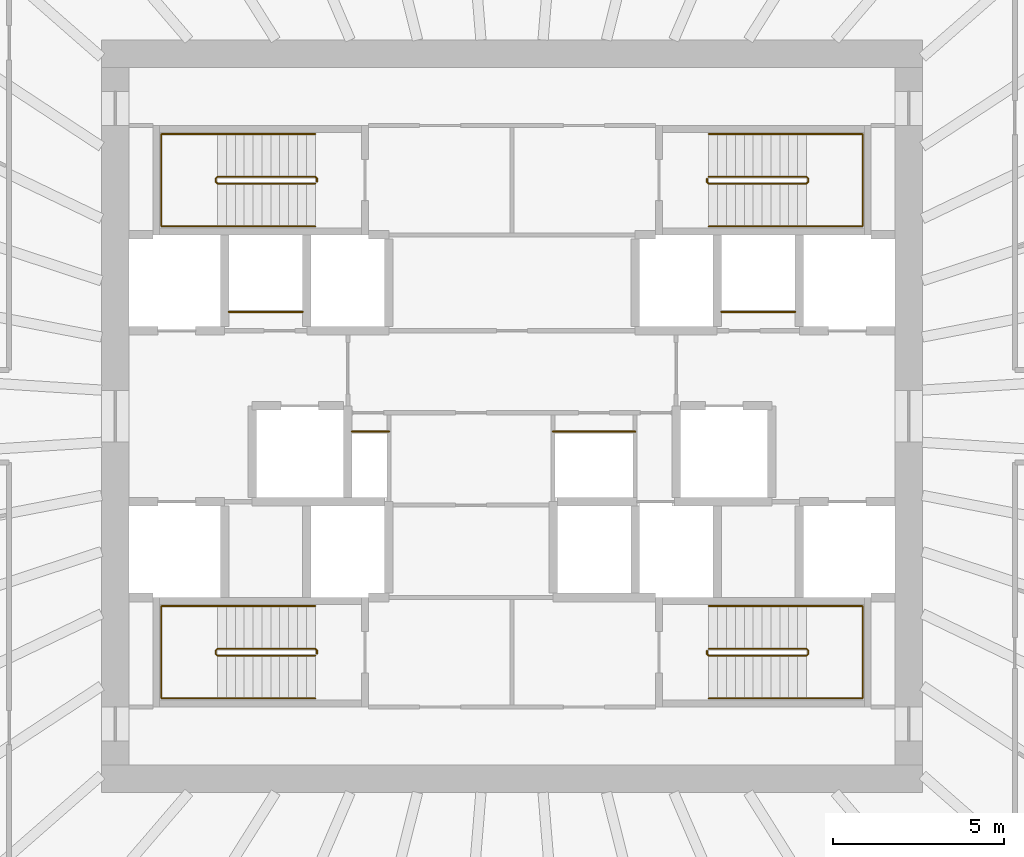
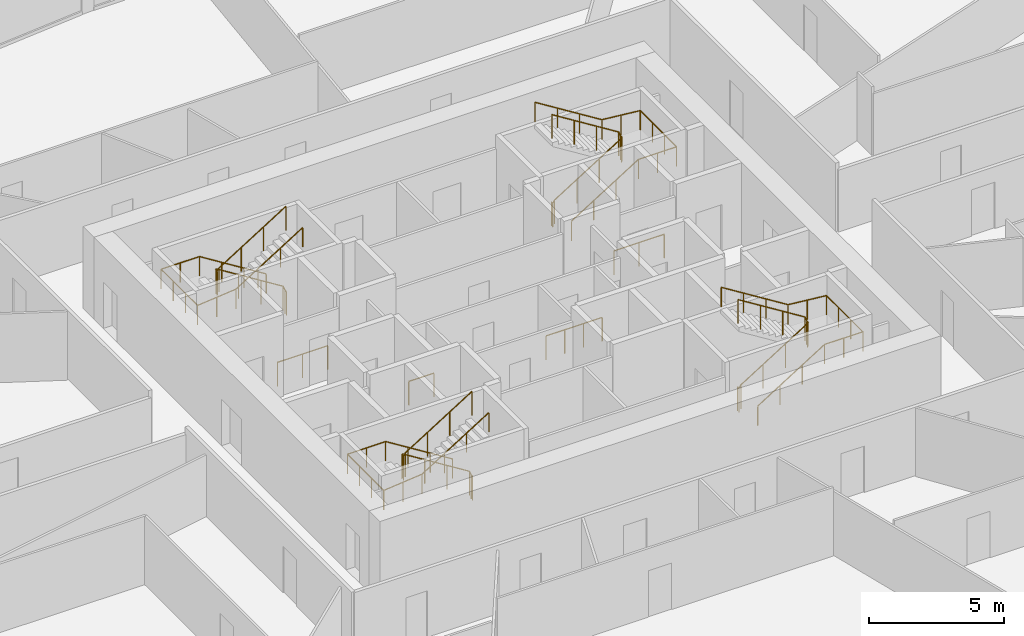
# One storey, part 10 of 10: 12 railings.
"""IFC4 building model written with IfcOpenShell, lengths in metres."""

from ifc_helpers import new_model, si_unit, direction, frame, origin, origin_2d, place, context, subcontext, project, spatial, circle, extrude, source, transform, mapped, material, type_object, element, save


model = new_model("IFC4")

# Units and contexts
model_context = context("Model", 3, precision=1e-05, world=origin(), true_north=direction((0.0, 1.0)))
body_context = subcontext(model_context, "Body", "Model", "MODEL_VIEW")
ifc_project = project(units=[si_unit("LENGTHUNIT", "METRE"), si_unit("AREAUNIT", "SQUARE_METRE"), si_unit("VOLUMEUNIT", "CUBIC_METRE"), si_unit("PLANEANGLEUNIT", "RADIAN"), si_unit("MASSUNIT", "GRAM", prefix="KILO")], contexts=[model_context])

# Site, building, storey
site_placement = place(None, origin())
site = spatial("IfcSite", under=ifc_project, at=site_placement, CompositionType="ELEMENT")
building_placement = place(site_placement, origin())
building = spatial("IfcBuilding", under=site, at=building_placement, Name="Embergate Tower", CompositionType="ELEMENT")
storey_placement = place(building_placement, frame((0.0, 0.0, 171.60009765625)))
storey = spatial("IfcBuildingStorey", under=building, at=storey_placement, Name="L38", CompositionType="ELEMENT", Elevation=171.60009765625)

# Railings
ifc_material_1 = material(Name="Stair handrail 900")
railing_type_1 = type_object("IfcRailingType", Name="Stair handrail 900", PredefinedType="HANDRAIL", material=ifc_material_1)
shared_shape_1 = source(origin(), body_context, "Body", "SweptSolid", [
    extrude(circle(Radius=0.02392578125, at=origin_2d()), frame((0.0, 0.0, 0.8759765625), z_axis=(-0.847994237388, 0.0, 0.530005446535), x_axis=(0.0, -1.0, 0.0)), (0.0, 0.0, 1.0), 3.372802734375),
    extrude(circle(Radius=0.02392578125, at=origin_2d()), frame((-2.860107421875, 0.0, 2.66357421875), z_axis=(-1.0, 0.0, 0.0), x_axis=(0.0, -1.0, 0.0)), (0.0, 0.0, 1.0), 1.639892578125),
    extrude(circle(Radius=0.02392578125, at=origin_2d()), frame((-4.5, 0.0, 2.66357421875), z_axis=(0.0, -1.0, 0.0), x_axis=(1.0, 0.0, 0.0)), (0.0, 0.0, 1.0), 2.699951171875),
    extrude(circle(Radius=0.02392578125, at=origin_2d()), frame((-4.5, -2.699951171875, 2.66357421875), z_axis=(0.995134983717, 0.0, 0.098520881967), x_axis=(0.0, 1.0, 0.0)), (0.0, 0.0, 1.0), 1.64794921875),
    extrude(circle(Radius=0.02392578125, at=origin_2d()), frame((-2.860107421875, -2.699951171875, 2.82568359375), z_axis=(0.847994237388, 0.0, 0.530005446535), x_axis=(0.0, 1.0, 0.0)), (0.0, 0.0, 1.0), 3.372802734375),
    extrude(circle(Radius=0.02099609375, at=origin_2d()), origin(), (0.0, 0.0, 1.0), 0.851806640625),
    extrude(circle(Radius=0.02099609375, at=origin_2d()), frame((-0.953369140625, 0.0, 0.595947265625)), (0.0, 0.0, 1.0), 0.851806640625),
    extrude(circle(Radius=0.02099609375, at=origin_2d()), frame((-1.90673828125, 0.0, 1.191650390625)), (0.0, 0.0, 1.0), 0.851806640625),
    extrude(circle(Radius=0.02099609375, at=origin_2d()), frame((-2.860107421875, 0.0, 1.78759765625)), (0.0, 0.0, 1.0), 0.851806640625),
    extrude(circle(Radius=0.02099609375, at=origin_2d()), frame((-3.68017578125, 0.0, 1.78759765625)), (0.0, 0.0, 1.0), 0.851806640625),
    extrude(circle(Radius=0.02099609375, at=origin_2d()), frame((-4.5, 0.0, 1.78759765625)), (0.0, 0.0, 1.0), 0.851806640625),
    extrude(circle(Radius=0.02099609375, at=origin_2d()), frame((-4.5, -0.89990234375, 1.78759765625)), (0.0, 0.0, 1.0), 0.851806640625),
    extrude(circle(Radius=0.02099609375, at=origin_2d()), frame((-4.5, -1.800048828125, 1.78759765625)), (0.0, 0.0, 1.0), 0.851806640625),
    extrude(circle(Radius=0.02099609375, at=origin_2d()), frame((-4.5, -2.699951171875, 1.78759765625)), (0.0, 0.0, 1.0), 0.851806640625),
    extrude(circle(Radius=0.02099609375, at=origin_2d()), frame((-3.68017578125, -2.699951171875, 1.86865234375)), (0.0, 0.0, 1.0), 0.851806640625),
    extrude(circle(Radius=0.02099609375, at=origin_2d()), frame((-2.860107421875, -2.699951171875, 1.949951171875)), (0.0, 0.0, 1.0), 0.851806640625),
    extrude(circle(Radius=0.02099609375, at=origin_2d()), frame((-1.90673828125, -2.699951171875, 2.5458984375)), (0.0, 0.0, 1.0), 0.851806640625),
    extrude(circle(Radius=0.02099609375, at=origin_2d()), frame((-0.953369140625, -2.699951171875, 3.1416015625)), (0.0, 0.0, 1.0), 0.851806640625),
    extrude(circle(Radius=0.02099609375, at=origin_2d()), frame((0.0, -2.699951171875, 3.737548828125)), (0.0, 0.0, 1.0), 0.851806640625),
])
for number, where, name in (
    (1, (-5.75, 8.25, 0.162353515625), "L38 ST1 stair handrail 1"),
    (2, (-5.75, -5.550048828125, 0.162353515625), "L38 ST3 stair handrail 1"),
):
    element("IfcRailing", number, at=place(storey_placement, frame(where)), inside=storey, type_object=railing_type_1, Name=name, PredefinedType="HANDRAIL", context=body_context, shape_type="MappedRepresentation", body=[
        mapped(shared_shape_1, transform((0.0, 0.0, 0.0))),
    ])
ifc_material_2 = material(Name="Stair guard 1100")
railing_type_2 = type_object("IfcRailingType", Name="Stair guard 1100", PredefinedType="GUARDRAIL", material=ifc_material_2)
shared_shape_2 = source(origin(), body_context, "Body", "SweptSolid", [
    extrude(circle(Radius=0.02392578125, at=origin_2d()), frame((0.0, 0.0, 1.076171875), z_axis=(0.0, 1.0, 0.0), x_axis=(-1.0, 0.0, 0.0)), (0.0, 0.0, 1.0), 0.099853515625),
    extrude(circle(Radius=0.02392578125, at=origin_2d()), frame((0.0, 0.099853515625, 1.076171875), z_axis=(-0.282583949758, 0.282583949758, 0.916674763849), x_axis=(-0.707106781187, -0.707106781187, 0.0)), (0.0, 0.0, 1.0), 0.177001953125),
    extrude(circle(Radius=0.02392578125, at=origin_2d()), frame((-0.050048828125, 0.14990234375, 1.23828125), z_axis=(-0.847994237388, 0.0, 0.530005446535), x_axis=(0.0, -1.0, 0.0)), (0.0, 0.0, 1.0), 3.372802734375),
    extrude(circle(Radius=0.02392578125, at=origin_2d()), frame((-2.91015625, 0.14990234375, 3.02587890625), z_axis=(-0.705375805398, -0.708833529934, 0.0), x_axis=(0.708833529934, -0.705375805398, 0.0)), (0.0, 0.0, 1.0), 0.070556640625),
    extrude(circle(Radius=0.02392578125, at=origin_2d()), frame((-2.9599609375, 0.099853515625, 3.02587890625), z_axis=(0.0, -1.0, 0.0), x_axis=(1.0, 0.0, 0.0)), (0.0, 0.0, 1.0), 0.099853515625),
    extrude(circle(Radius=0.02392578125, at=origin_2d()), frame((-2.9599609375, 0.0, 3.02587890625), z_axis=(0.281314826061, -0.282693820306, 0.917031173188), x_axis=(0.708833529934, 0.705375805398, 0.0)), (0.0, 0.0, 1.0), 0.177001953125),
    extrude(circle(Radius=0.02392578125, at=origin_2d()), frame((-2.91015625, -0.050048828125, 3.1884765625), z_axis=(0.847994237388, 0.0, 0.530005446535), x_axis=(0.0, 1.0, 0.0)), (0.0, 0.0, 1.0), 3.372802734375),
    extrude(circle(Radius=0.02099609375, at=origin_2d()), origin(), (0.0, 0.0, 1.0), 1.052001953125),
    extrude(circle(Radius=0.02099609375, at=origin_2d()), frame((0.0, 0.099853515625, 0.0)), (0.0, 0.0, 1.0), 1.052001953125),
    extrude(circle(Radius=0.02099609375, at=origin_2d()), frame((-0.050048828125, 0.14990234375, 0.162353515625)), (0.0, 0.0, 1.0), 1.052001953125),
    extrude(circle(Radius=0.02099609375, at=origin_2d()), frame((-1.00341796875, 0.14990234375, 0.75830078125)), (0.0, 0.0, 1.0), 1.052001953125),
    extrude(circle(Radius=0.02099609375, at=origin_2d()), frame((-1.956787109375, 0.14990234375, 1.35400390625)), (0.0, 0.0, 1.0), 1.052001953125),
    extrude(circle(Radius=0.02099609375, at=origin_2d()), frame((-2.91015625, 0.14990234375, 1.949951171875)), (0.0, 0.0, 1.0), 1.052001953125),
    extrude(circle(Radius=0.02099609375, at=origin_2d()), frame((-2.9599609375, 0.099853515625, 1.949951171875)), (0.0, 0.0, 1.0), 1.052001953125),
    extrude(circle(Radius=0.02099609375, at=origin_2d()), frame((-2.9599609375, 0.0, 1.949951171875)), (0.0, 0.0, 1.0), 1.052001953125),
    extrude(circle(Radius=0.02099609375, at=origin_2d()), frame((-2.91015625, -0.050048828125, 2.1123046875)), (0.0, 0.0, 1.0), 1.052001953125),
    extrude(circle(Radius=0.02099609375, at=origin_2d()), frame((-1.956787109375, -0.050048828125, 2.708251953125)), (0.0, 0.0, 1.0), 1.052001953125),
    extrude(circle(Radius=0.02099609375, at=origin_2d()), frame((-1.00341796875, -0.050048828125, 3.303955078125)), (0.0, 0.0, 1.0), 1.052001953125),
    extrude(circle(Radius=0.02099609375, at=origin_2d()), frame((-0.050048828125, -0.050048828125, 3.89990234375)), (0.0, 0.0, 1.0), 1.052001953125),
])
for number, where, name in (
    (3, (-5.699951171875, 6.85009765625, 0.0), "L38 ST1 stair guard 1"),
    (4, (-5.699951171875, -6.949951171875, 0.0), "L38 ST3 stair guard 1"),
):
    element("IfcRailing", number, at=place(storey_placement, frame(where)), inside=storey, type_object=railing_type_2, Name=name, PredefinedType="GUARDRAIL", context=body_context, shape_type="MappedRepresentation", body=[
        mapped(shared_shape_2, transform((0.0, 0.0, 0.0))),
    ])
shared_shape_3 = source(origin(), body_context, "Body", "SweptSolid", [
    extrude(circle(Radius=0.02392578125, at=origin_2d()), frame((0.0, 0.0, 0.8759765625), z_axis=(0.847994237388, 0.0, 0.530005446535), x_axis=(0.0, 1.0, 0.0)), (0.0, 0.0, 1.0), 3.372802734375),
    extrude(circle(Radius=0.02392578125, at=origin_2d()), frame((2.860107421875, 0.0, 2.66357421875), z_axis=(1.0, 0.0, 0.0), x_axis=(0.0, 1.0, 0.0)), (0.0, 0.0, 1.0), 1.639892578125),
    extrude(circle(Radius=0.02392578125, at=origin_2d()), frame((4.5, 0.0, 2.66357421875), z_axis=(0.0, 1.0, 0.0), x_axis=(-1.0, 0.0, 0.0)), (0.0, 0.0, 1.0), 2.699951171875),
    extrude(circle(Radius=0.02392578125, at=origin_2d()), frame((4.5, 2.699951171875, 2.66357421875), z_axis=(-0.995134983717, 0.0, 0.098520881967), x_axis=(0.0, -1.0, 0.0)), (0.0, 0.0, 1.0), 1.64794921875),
    extrude(circle(Radius=0.02392578125, at=origin_2d()), frame((2.860107421875, 2.699951171875, 2.82568359375), z_axis=(-0.847994237388, 0.0, 0.530005446535), x_axis=(0.0, -1.0, 0.0)), (0.0, 0.0, 1.0), 3.372802734375),
    extrude(circle(Radius=0.02099609375, at=origin_2d()), origin(), (0.0, 0.0, 1.0), 0.851806640625),
    extrude(circle(Radius=0.02099609375, at=origin_2d()), frame((0.953369140625, 0.0, 0.595947265625)), (0.0, 0.0, 1.0), 0.851806640625),
    extrude(circle(Radius=0.02099609375, at=origin_2d()), frame((1.90673828125, 0.0, 1.191650390625)), (0.0, 0.0, 1.0), 0.851806640625),
    extrude(circle(Radius=0.02099609375, at=origin_2d()), frame((2.860107421875, 0.0, 1.78759765625)), (0.0, 0.0, 1.0), 0.851806640625),
    extrude(circle(Radius=0.02099609375, at=origin_2d()), frame((3.68017578125, 0.0, 1.78759765625)), (0.0, 0.0, 1.0), 0.851806640625),
    extrude(circle(Radius=0.02099609375, at=origin_2d()), frame((4.5, 0.0, 1.78759765625)), (0.0, 0.0, 1.0), 0.851806640625),
    extrude(circle(Radius=0.02099609375, at=origin_2d()), frame((4.5, 0.89990234375, 1.78759765625)), (0.0, 0.0, 1.0), 0.851806640625),
    extrude(circle(Radius=0.02099609375, at=origin_2d()), frame((4.5, 1.800048828125, 1.78759765625)), (0.0, 0.0, 1.0), 0.851806640625),
    extrude(circle(Radius=0.02099609375, at=origin_2d()), frame((4.5, 2.699951171875, 1.78759765625)), (0.0, 0.0, 1.0), 0.851806640625),
    extrude(circle(Radius=0.02099609375, at=origin_2d()), frame((3.68017578125, 2.699951171875, 1.86865234375)), (0.0, 0.0, 1.0), 0.851806640625),
    extrude(circle(Radius=0.02099609375, at=origin_2d()), frame((2.860107421875, 2.699951171875, 1.949951171875)), (0.0, 0.0, 1.0), 0.851806640625),
    extrude(circle(Radius=0.02099609375, at=origin_2d()), frame((1.90673828125, 2.699951171875, 2.5458984375)), (0.0, 0.0, 1.0), 0.851806640625),
    extrude(circle(Radius=0.02099609375, at=origin_2d()), frame((0.953369140625, 2.699951171875, 3.1416015625)), (0.0, 0.0, 1.0), 0.851806640625),
    extrude(circle(Radius=0.02099609375, at=origin_2d()), frame((0.0, 2.699951171875, 3.737548828125)), (0.0, 0.0, 1.0), 0.851806640625),
])
for number, where, name in (
    (5, (5.75, 5.550048828125, 0.162353515625), "L38 ST2 stair handrail 1"),
    (6, (5.75, -8.25, 0.162353515625), "L38 ST4 stair handrail 1"),
):
    element("IfcRailing", number, at=place(storey_placement, frame(where)), inside=storey, type_object=railing_type_1, Name=name, PredefinedType="HANDRAIL", context=body_context, shape_type="MappedRepresentation", body=[
        mapped(shared_shape_3, transform((0.0, 0.0, 0.0))),
    ])
shared_shape_4 = source(origin(), body_context, "Body", "SweptSolid", [
    extrude(circle(Radius=0.02392578125, at=origin_2d()), frame((0.0, 0.0, 1.076171875), z_axis=(0.0, -1.0, 0.0), x_axis=(1.0, 0.0, 0.0)), (0.0, 0.0, 1.0), 0.099853515625),
    extrude(circle(Radius=0.02392578125, at=origin_2d()), frame((0.0, -0.099853515625, 1.076171875), z_axis=(0.282583949758, -0.282583949758, 0.916674763849), x_axis=(0.707106781187, 0.707106781187, 0.0)), (0.0, 0.0, 1.0), 0.177001953125),
    extrude(circle(Radius=0.02392578125, at=origin_2d()), frame((0.050048828125, -0.14990234375, 1.23828125), z_axis=(0.847994237388, 0.0, 0.530005446535), x_axis=(0.0, 1.0, 0.0)), (0.0, 0.0, 1.0), 3.372802734375),
    extrude(circle(Radius=0.02392578125, at=origin_2d()), frame((2.91015625, -0.14990234375, 3.02587890625), z_axis=(0.705375805398, 0.708833529934, 0.0), x_axis=(-0.708833529934, 0.705375805398, 0.0)), (0.0, 0.0, 1.0), 0.070556640625),
    extrude(circle(Radius=0.02392578125, at=origin_2d()), frame((2.9599609375, -0.099853515625, 3.02587890625), z_axis=(0.0, 1.0, 0.0), x_axis=(-1.0, 0.0, 0.0)), (0.0, 0.0, 1.0), 0.099853515625),
    extrude(circle(Radius=0.02392578125, at=origin_2d()), frame((2.9599609375, 0.0, 3.02587890625), z_axis=(-0.281314826061, 0.282693820306, 0.917031173188), x_axis=(-0.708833529934, -0.705375805398, 0.0)), (0.0, 0.0, 1.0), 0.177001953125),
    extrude(circle(Radius=0.02392578125, at=origin_2d()), frame((2.91015625, 0.050048828125, 3.1884765625), z_axis=(-0.847994237388, 0.0, 0.530005446535), x_axis=(0.0, -1.0, 0.0)), (0.0, 0.0, 1.0), 3.372802734375),
    extrude(circle(Radius=0.02099609375, at=origin_2d()), origin(), (0.0, 0.0, 1.0), 1.052001953125),
    extrude(circle(Radius=0.02099609375, at=origin_2d()), frame((0.0, -0.099853515625, 0.0)), (0.0, 0.0, 1.0), 1.052001953125),
    extrude(circle(Radius=0.02099609375, at=origin_2d()), frame((0.050048828125, -0.14990234375, 0.162353515625)), (0.0, 0.0, 1.0), 1.052001953125),
    extrude(circle(Radius=0.02099609375, at=origin_2d()), frame((1.00341796875, -0.14990234375, 0.75830078125)), (0.0, 0.0, 1.0), 1.052001953125),
    extrude(circle(Radius=0.02099609375, at=origin_2d()), frame((1.956787109375, -0.14990234375, 1.35400390625)), (0.0, 0.0, 1.0), 1.052001953125),
    extrude(circle(Radius=0.02099609375, at=origin_2d()), frame((2.91015625, -0.14990234375, 1.949951171875)), (0.0, 0.0, 1.0), 1.052001953125),
    extrude(circle(Radius=0.02099609375, at=origin_2d()), frame((2.9599609375, -0.099853515625, 1.949951171875)), (0.0, 0.0, 1.0), 1.052001953125),
    extrude(circle(Radius=0.02099609375, at=origin_2d()), frame((2.9599609375, 0.0, 1.949951171875)), (0.0, 0.0, 1.0), 1.052001953125),
    extrude(circle(Radius=0.02099609375, at=origin_2d()), frame((2.91015625, 0.050048828125, 2.1123046875)), (0.0, 0.0, 1.0), 1.052001953125),
    extrude(circle(Radius=0.02099609375, at=origin_2d()), frame((1.956787109375, 0.050048828125, 2.708251953125)), (0.0, 0.0, 1.0), 1.052001953125),
    extrude(circle(Radius=0.02099609375, at=origin_2d()), frame((1.00341796875, 0.050048828125, 3.303955078125)), (0.0, 0.0, 1.0), 1.052001953125),
    extrude(circle(Radius=0.02099609375, at=origin_2d()), frame((0.050048828125, 0.050048828125, 3.89990234375)), (0.0, 0.0, 1.0), 1.052001953125),
])
for number, where, name in (
    (7, (5.699951171875, 6.949951171875, 0.0), "L38 ST2 stair guard 1"),
    (8, (5.699951171875, -6.85009765625, 0.0), "L38 ST4 stair guard 1"),
):
    element("IfcRailing", number, at=place(storey_placement, frame(where)), inside=storey, type_object=railing_type_2, Name=name, PredefinedType="GUARDRAIL", context=body_context, shape_type="MappedRepresentation", body=[
        mapped(shared_shape_4, transform((0.0, 0.0, 0.0))),
    ])
ifc_material_3 = material(Name="Opening guard 1100")
railing_type_3 = type_object("IfcRailingType", Name="Opening guard 1100", PredefinedType="GUARDRAIL", material=ifc_material_3)
shared_shape_5 = source(origin(), body_context, "Body", "SweptSolid", [
    extrude(circle(Radius=0.02392578125, at=origin_2d()), frame((0.0, 0.0, 1.076171875), z_axis=(1.0, 0.0, 0.0), x_axis=(0.0, 1.0, 0.0)), (0.0, 0.0, 1.0), 2.14990234375),
    extrude(circle(Radius=0.02099609375, at=origin_2d()), origin(), (0.0, 0.0, 1.0), 1.052001953125),
    extrude(circle(Radius=0.02099609375, at=origin_2d()), frame((1.074951171875, 0.0, 0.0)), (0.0, 0.0, 1.0), 1.052001953125),
    extrude(circle(Radius=0.02099609375, at=origin_2d()), frame((2.14990234375, 0.0, 0.0)), (0.0, 0.0, 1.0), 1.052001953125),
])
for number, where, name in (
    (9, (-8.27490234375, 3.050048828125, 0.0), "Riser opening guard"),
    (10, (6.125, 3.050048828125, 0.0), "Riser opening guard"),
):
    element("IfcRailing", number, at=place(storey_placement, frame(where)), inside=storey, type_object=railing_type_3, Name=name, PredefinedType="GUARDRAIL", context=body_context, shape_type="MappedRepresentation", body=[
        mapped(shared_shape_5, transform((0.0, 0.0, 0.0))),
    ])
shared_shape_6 = source(origin(), body_context, "Body", "SweptSolid", [
    extrude(circle(Radius=0.02392578125, at=origin_2d()), frame((0.0, 0.0, 1.076171875), z_axis=(1.0, 0.0, 0.0), x_axis=(0.0, 1.0, 0.0)), (0.0, 0.0, 1.0), 1.074951171875),
    extrude(circle(Radius=0.02099609375, at=origin_2d()), origin(), (0.0, 0.0, 1.0), 1.052001953125),
    extrude(circle(Radius=0.02099609375, at=origin_2d()), frame((1.074951171875, 0.0, 0.0)), (0.0, 0.0, 1.0), 1.052001953125),
])
railing_1_placement = place(storey_placement, frame((-4.675048828125, -0.449951171875, 0.0)))
element("IfcRailing", 11, at=railing_1_placement, inside=storey, type_object=railing_type_3, Name="Riser opening guard", PredefinedType="GUARDRAIL", context=body_context, shape_type="MappedRepresentation", body=[
    mapped(shared_shape_6, transform((0.0, 0.0, 0.0))),
])
shared_shape_7 = source(origin(), body_context, "Body", "SweptSolid", [
    extrude(circle(Radius=0.02392578125, at=origin_2d()), frame((0.0, 0.0, 1.076171875), z_axis=(1.0, 0.0, 0.0), x_axis=(0.0, 1.0, 0.0)), (0.0, 0.0, 1.0), 2.400146484375),
    extrude(circle(Radius=0.02099609375, at=origin_2d()), origin(), (0.0, 0.0, 1.0), 1.052001953125),
    extrude(circle(Radius=0.02099609375, at=origin_2d()), frame((0.800048828125, 0.0, 0.0)), (0.0, 0.0, 1.0), 1.052001953125),
    extrude(circle(Radius=0.02099609375, at=origin_2d()), frame((1.60009765625, 0.0, 0.0)), (0.0, 0.0, 1.0), 1.052001953125),
    extrude(circle(Radius=0.02099609375, at=origin_2d()), frame((2.400146484375, 0.0, 0.0)), (0.0, 0.0, 1.0), 1.052001953125),
])
railing_2_placement = place(storey_placement, frame((1.199951171875, -0.449951171875, 0.0)))
element("IfcRailing", 12, at=railing_2_placement, inside=storey, type_object=railing_type_3, Name="Riser opening guard", PredefinedType="GUARDRAIL", context=body_context, shape_type="MappedRepresentation", body=[
    mapped(shared_shape_7, transform((0.0, 0.0, 0.0))),
])

save(model, "model.ifc")
